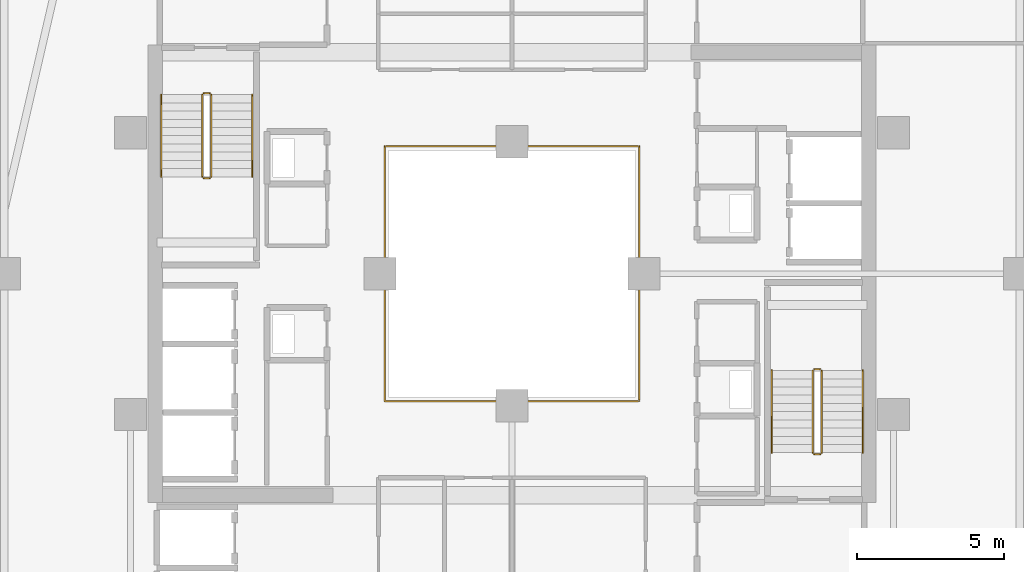
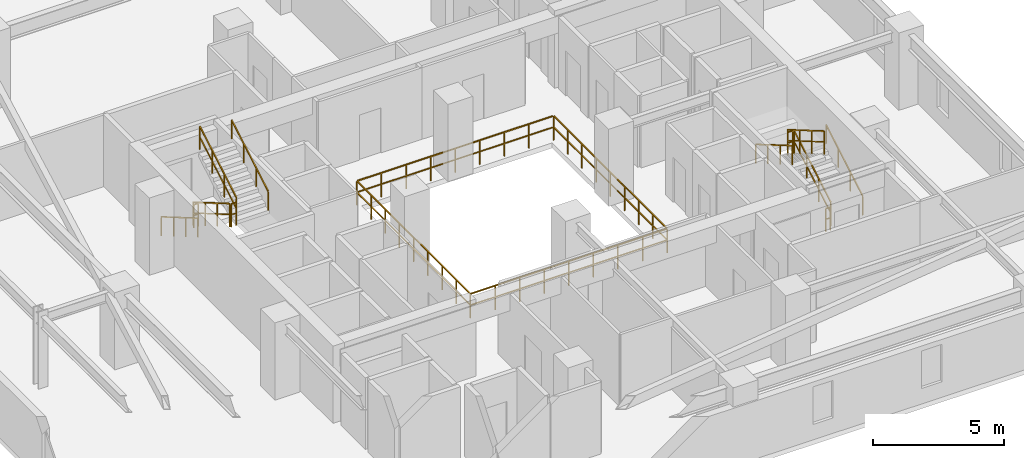
# One storey, part 32 of 33: 13 railings.
"""IFC4 building model written with IfcOpenShell, lengths in metres."""

from ifc_helpers import new_model, si_unit, direction, frame, origin, origin_2d, place, context, subcontext, project, spatial, rectangle, extrude, material, type_object, element, save


model = new_model("IFC4")

# Units and contexts
model_context = context("Model", 3, precision=1e-05, world=origin(), true_north=direction((0.0, 1.0)))
body_context = subcontext(model_context, "Body", "Model", "MODEL_VIEW")
ifc_project = project(units=[si_unit("LENGTHUNIT", "METRE"), si_unit("AREAUNIT", "SQUARE_METRE"), si_unit("VOLUMEUNIT", "CUBIC_METRE"), si_unit("PLANEANGLEUNIT", "RADIAN"), si_unit("MASSUNIT", "GRAM", prefix="KILO")], contexts=[model_context])

# Site, building, storey
site_placement = place(None, origin())
site = spatial("IfcSite", under=ifc_project, at=site_placement, CompositionType="ELEMENT")
building_placement = place(site_placement, origin())
building = spatial("IfcBuilding", under=site, at=building_placement, Name="Thornwick Lancets Civic Towers", CompositionType="ELEMENT")
storey_placement = place(building_placement, frame((0.0, 0.0, 192.89990234375)))
storey = spatial("IfcBuildingStorey", under=building, at=storey_placement, Name="L51", CompositionType="ELEMENT", Elevation=192.89990234375)

# Railings
ifc_material_1 = material(Name="Laminated glass and bronze steel S355", Category="steel")
railing_type_1 = type_object("IfcRailingType", Name="RAIL_ATRIUM_GUARD", PredefinedType="BALUSTRADE", material=ifc_material_1)
railing_1_placement = place(storey_placement, frame((84.159912109375, 22.659912109375, 0.0)))
element("IfcRailing", 1, at=railing_1_placement, inside=storey, type_object=railing_type_1, Name="L51 Tower B Central Atrium Guard Balustrade", PredefinedType="BALUSTRADE", context=body_context, shape_type="SweptSolid", body=[
    extrude(rectangle(XDim=0.048095703125, YDim=0.048095703125, at=origin_2d()), frame((0.0, 0.0, 1.1259765625), z_axis=(1.0, 0.0, 0.0), x_axis=(0.0, 1.0, 0.0)), (0.0, 0.0, 1.0), 8.64892578125),
    extrude(rectangle(XDim=0.0419921875, YDim=0.0419921875, at=origin_2d()), frame((0.03759765625, 0.0, 0.597900390625), z_axis=(1.0, 0.0, 0.0), x_axis=(0.0, 1.0, 0.0)), (0.0, 0.0, 1.0), 1.010009765625),
    extrude(rectangle(XDim=0.0419921875, YDim=0.0419921875, at=origin_2d()), frame((1.12255859375, 0.0, 0.597900390625), z_axis=(1.0, 0.0, 0.0), x_axis=(0.0, 1.0, 0.0)), (0.0, 0.0, 1.0), 1.010009765625),
    extrude(rectangle(XDim=0.0419921875, YDim=0.0419921875, at=origin_2d()), frame((2.20751953125, 0.0, 0.597900390625), z_axis=(1.0, 0.0, 0.0), x_axis=(0.0, 1.0, 0.0)), (0.0, 0.0, 1.0), 1.010009765625),
    extrude(rectangle(XDim=0.0419921875, YDim=0.0419921875, at=origin_2d()), frame((3.29248046875, 0.0, 0.597900390625), z_axis=(1.0, 0.0, 0.0), x_axis=(0.0, 1.0, 0.0)), (0.0, 0.0, 1.0), 1.010009765625),
    extrude(rectangle(XDim=0.0419921875, YDim=0.0419921875, at=origin_2d()), frame((4.377685546875, 0.0, 0.597900390625), z_axis=(1.0, 0.0, 0.0), x_axis=(0.0, 1.0, 0.0)), (0.0, 0.0, 1.0), 1.010009765625),
    extrude(rectangle(XDim=0.0419921875, YDim=0.0419921875, at=origin_2d()), frame((5.462646484375, 0.0, 0.597900390625), z_axis=(1.0, 0.0, 0.0), x_axis=(0.0, 1.0, 0.0)), (0.0, 0.0, 1.0), 1.010009765625),
    extrude(rectangle(XDim=0.0419921875, YDim=0.0419921875, at=origin_2d()), frame((6.547607421875, 0.0, 0.597900390625), z_axis=(1.0, 0.0, 0.0), x_axis=(0.0, 1.0, 0.0)), (0.0, 0.0, 1.0), 1.010009765625),
    extrude(rectangle(XDim=0.0419921875, YDim=0.0419921875, at=origin_2d()), frame((7.632568359375, 0.0, 0.597900390625), z_axis=(1.0, 0.0, 0.0), x_axis=(0.0, 1.0, 0.0)), (0.0, 0.0, 1.0), 1.010009765625),
    extrude(rectangle(XDim=0.048095703125, YDim=0.048095703125, at=origin_2d()), frame((8.68017578125, 0.03125, 1.1259765625), z_axis=(0.0, 1.0, 0.0), x_axis=(-1.0, 0.0, 0.0)), (0.0, 0.0, 1.0), 8.61767578125),
    extrude(rectangle(XDim=0.0419921875, YDim=0.0419921875, at=origin_2d()), frame((8.68017578125, 0.03759765625, 0.597900390625), z_axis=(0.0, 1.0, 0.0), x_axis=(-1.0, 0.0, 0.0)), (0.0, 0.0, 1.0), 1.010009765625),
    extrude(rectangle(XDim=0.0419921875, YDim=0.0419921875, at=origin_2d()), frame((8.68017578125, 1.12255859375, 0.597900390625), z_axis=(0.0, 1.0, 0.0), x_axis=(-1.0, 0.0, 0.0)), (0.0, 0.0, 1.0), 1.010009765625),
    extrude(rectangle(XDim=0.0419921875, YDim=0.0419921875, at=origin_2d()), frame((8.68017578125, 2.20751953125, 0.597900390625), z_axis=(0.0, 1.0, 0.0), x_axis=(-1.0, 0.0, 0.0)), (0.0, 0.0, 1.0), 1.010009765625),
    extrude(rectangle(XDim=0.0419921875, YDim=0.0419921875, at=origin_2d()), frame((8.68017578125, 3.29248046875, 0.597900390625), z_axis=(0.0, 1.0, 0.0), x_axis=(-1.0, 0.0, 0.0)), (0.0, 0.0, 1.0), 1.010009765625),
    extrude(rectangle(XDim=0.0419921875, YDim=0.0419921875, at=origin_2d()), frame((8.68017578125, 4.377685546875, 0.597900390625), z_axis=(0.0, 1.0, 0.0), x_axis=(-1.0, 0.0, 0.0)), (0.0, 0.0, 1.0), 1.010009765625),
    extrude(rectangle(XDim=0.0419921875, YDim=0.0419921875, at=origin_2d()), frame((8.68017578125, 5.462646484375, 0.597900390625), z_axis=(0.0, 1.0, 0.0), x_axis=(-1.0, 0.0, 0.0)), (0.0, 0.0, 1.0), 1.010009765625),
    extrude(rectangle(XDim=0.0419921875, YDim=0.0419921875, at=origin_2d()), frame((8.68017578125, 6.547607421875, 0.597900390625), z_axis=(0.0, 1.0, 0.0), x_axis=(-1.0, 0.0, 0.0)), (0.0, 0.0, 1.0), 1.010009765625),
    extrude(rectangle(XDim=0.0419921875, YDim=0.0419921875, at=origin_2d()), frame((8.68017578125, 7.632568359375, 0.597900390625), z_axis=(0.0, 1.0, 0.0), x_axis=(-1.0, 0.0, 0.0)), (0.0, 0.0, 1.0), 1.010009765625),
    extrude(rectangle(XDim=0.048095703125, YDim=0.048095703125, at=origin_2d()), frame((8.64892578125, 8.68017578125, 1.1259765625), z_axis=(-1.0, 0.0, 0.0), x_axis=(0.0, -1.0, 0.0)), (0.0, 0.0, 1.0), 8.61767578125),
    extrude(rectangle(XDim=0.0419921875, YDim=0.0419921875, at=origin_2d()), frame((8.642578125, 8.68017578125, 0.597900390625), z_axis=(-1.0, 0.0, 0.0), x_axis=(0.0, -1.0, 0.0)), (0.0, 0.0, 1.0), 1.010009765625),
    extrude(rectangle(XDim=0.0419921875, YDim=0.0419921875, at=origin_2d()), frame((7.5576171875, 8.68017578125, 0.597900390625), z_axis=(-1.0, 0.0, 0.0), x_axis=(0.0, -1.0, 0.0)), (0.0, 0.0, 1.0), 1.010009765625),
    extrude(rectangle(XDim=0.0419921875, YDim=0.0419921875, at=origin_2d()), frame((6.47265625, 8.68017578125, 0.597900390625), z_axis=(-1.0, 0.0, 0.0), x_axis=(0.0, -1.0, 0.0)), (0.0, 0.0, 1.0), 1.010009765625),
    extrude(rectangle(XDim=0.0419921875, YDim=0.0419921875, at=origin_2d()), frame((5.3876953125, 8.68017578125, 0.597900390625), z_axis=(-1.0, 0.0, 0.0), x_axis=(0.0, -1.0, 0.0)), (0.0, 0.0, 1.0), 1.010009765625),
    extrude(rectangle(XDim=0.0419921875, YDim=0.0419921875, at=origin_2d()), frame((4.302490234375, 8.68017578125, 0.597900390625), z_axis=(-1.0, 0.0, 0.0), x_axis=(0.0, -1.0, 0.0)), (0.0, 0.0, 1.0), 1.010009765625),
    extrude(rectangle(XDim=0.0419921875, YDim=0.0419921875, at=origin_2d()), frame((3.217529296875, 8.68017578125, 0.597900390625), z_axis=(-1.0, 0.0, 0.0), x_axis=(0.0, -1.0, 0.0)), (0.0, 0.0, 1.0), 1.010009765625),
    extrude(rectangle(XDim=0.0419921875, YDim=0.0419921875, at=origin_2d()), frame((2.132568359375, 8.68017578125, 0.597900390625), z_axis=(-1.0, 0.0, 0.0), x_axis=(0.0, -1.0, 0.0)), (0.0, 0.0, 1.0), 1.010009765625),
    extrude(rectangle(XDim=0.0419921875, YDim=0.0419921875, at=origin_2d()), frame((1.047607421875, 8.68017578125, 0.597900390625), z_axis=(-1.0, 0.0, 0.0), x_axis=(0.0, -1.0, 0.0)), (0.0, 0.0, 1.0), 1.010009765625),
    extrude(rectangle(XDim=0.048095703125, YDim=0.048095703125, at=origin_2d()), frame((0.0, 8.64892578125, 1.1259765625), z_axis=(0.0, -1.0, 0.0), x_axis=(1.0, 0.0, 0.0)), (0.0, 0.0, 1.0), 8.64892578125),
    extrude(rectangle(XDim=0.0419921875, YDim=0.0419921875, at=origin_2d()), frame((0.0, 8.642578125, 0.597900390625), z_axis=(0.0, -1.0, 0.0), x_axis=(1.0, 0.0, 0.0)), (0.0, 0.0, 1.0), 1.010009765625),
    extrude(rectangle(XDim=0.0419921875, YDim=0.0419921875, at=origin_2d()), frame((0.0, 7.5576171875, 0.597900390625), z_axis=(0.0, -1.0, 0.0), x_axis=(1.0, 0.0, 0.0)), (0.0, 0.0, 1.0), 1.010009765625),
    extrude(rectangle(XDim=0.0419921875, YDim=0.0419921875, at=origin_2d()), frame((0.0, 6.47265625, 0.597900390625), z_axis=(0.0, -1.0, 0.0), x_axis=(1.0, 0.0, 0.0)), (0.0, 0.0, 1.0), 1.010009765625),
    extrude(rectangle(XDim=0.0419921875, YDim=0.0419921875, at=origin_2d()), frame((0.0, 5.3876953125, 0.597900390625), z_axis=(0.0, -1.0, 0.0), x_axis=(1.0, 0.0, 0.0)), (0.0, 0.0, 1.0), 1.010009765625),
    extrude(rectangle(XDim=0.0419921875, YDim=0.0419921875, at=origin_2d()), frame((0.0, 4.302490234375, 0.597900390625), z_axis=(0.0, -1.0, 0.0), x_axis=(1.0, 0.0, 0.0)), (0.0, 0.0, 1.0), 1.010009765625),
    extrude(rectangle(XDim=0.0419921875, YDim=0.0419921875, at=origin_2d()), frame((0.0, 3.217529296875, 0.597900390625), z_axis=(0.0, -1.0, 0.0), x_axis=(1.0, 0.0, 0.0)), (0.0, 0.0, 1.0), 1.010009765625),
    extrude(rectangle(XDim=0.0419921875, YDim=0.0419921875, at=origin_2d()), frame((0.0, 2.132568359375, 0.597900390625), z_axis=(0.0, -1.0, 0.0), x_axis=(1.0, 0.0, 0.0)), (0.0, 0.0, 1.0), 1.010009765625),
    extrude(rectangle(XDim=0.0419921875, YDim=0.0419921875, at=origin_2d()), frame((0.0, 1.047607421875, 0.597900390625), z_axis=(0.0, -1.0, 0.0), x_axis=(1.0, 0.0, 0.0)), (0.0, 0.0, 1.0), 1.010009765625),
    extrude(rectangle(XDim=0.0419921875, YDim=0.0419921875, at=origin_2d()), origin(), (0.0, 0.0, 1.0), 1.095703125),
    extrude(rectangle(XDim=0.0419921875, YDim=0.0419921875, at=origin_2d()), frame((1.0849609375, 0.0, 0.0)), (0.0, 0.0, 1.0), 1.095703125),
    extrude(rectangle(XDim=0.0419921875, YDim=0.0419921875, at=origin_2d()), frame((2.169921875, 0.0, 0.0)), (0.0, 0.0, 1.0), 1.095703125),
    extrude(rectangle(XDim=0.0419921875, YDim=0.0419921875, at=origin_2d()), frame((3.255126953125, 0.0, 0.0)), (0.0, 0.0, 1.0), 1.095703125),
    extrude(rectangle(XDim=0.0419921875, YDim=0.0419921875, at=origin_2d()), frame((4.340087890625, 0.0, 0.0)), (0.0, 0.0, 1.0), 1.095703125),
    extrude(rectangle(XDim=0.0419921875, YDim=0.0419921875, at=origin_2d()), frame((5.425048828125, 0.0, 0.0)), (0.0, 0.0, 1.0), 1.095703125),
    extrude(rectangle(XDim=0.0419921875, YDim=0.0419921875, at=origin_2d()), frame((6.51025390625, 0.0, 0.0)), (0.0, 0.0, 1.0), 1.095703125),
    extrude(rectangle(XDim=0.0419921875, YDim=0.0419921875, at=origin_2d()), frame((7.59521484375, 0.0, 0.0)), (0.0, 0.0, 1.0), 1.095703125),
    extrude(rectangle(XDim=0.0419921875, YDim=0.0419921875, at=origin_2d()), frame((8.68017578125, 0.0, 0.0)), (0.0, 0.0, 1.0), 1.095703125),
    extrude(rectangle(XDim=0.0419921875, YDim=0.0419921875, at=origin_2d()), frame((8.68017578125, 1.0849609375, 0.0)), (0.0, 0.0, 1.0), 1.095703125),
    extrude(rectangle(XDim=0.0419921875, YDim=0.0419921875, at=origin_2d()), frame((8.68017578125, 2.169921875, 0.0)), (0.0, 0.0, 1.0), 1.095703125),
    extrude(rectangle(XDim=0.0419921875, YDim=0.0419921875, at=origin_2d()), frame((8.68017578125, 3.255126953125, 0.0)), (0.0, 0.0, 1.0), 1.095703125),
    extrude(rectangle(XDim=0.0419921875, YDim=0.0419921875, at=origin_2d()), frame((8.68017578125, 4.340087890625, 0.0)), (0.0, 0.0, 1.0), 1.095703125),
    extrude(rectangle(XDim=0.0419921875, YDim=0.0419921875, at=origin_2d()), frame((8.68017578125, 5.425048828125, 0.0)), (0.0, 0.0, 1.0), 1.095703125),
    extrude(rectangle(XDim=0.0419921875, YDim=0.0419921875, at=origin_2d()), frame((8.68017578125, 6.51025390625, 0.0)), (0.0, 0.0, 1.0), 1.095703125),
    extrude(rectangle(XDim=0.0419921875, YDim=0.0419921875, at=origin_2d()), frame((8.68017578125, 7.59521484375, 0.0)), (0.0, 0.0, 1.0), 1.095703125),
    extrude(rectangle(XDim=0.0419921875, YDim=0.0419921875, at=origin_2d()), frame((8.68017578125, 8.68017578125, 0.0)), (0.0, 0.0, 1.0), 1.095703125),
    extrude(rectangle(XDim=0.0419921875, YDim=0.0419921875, at=origin_2d()), frame((7.59521484375, 8.68017578125, 0.0)), (0.0, 0.0, 1.0), 1.095703125),
    extrude(rectangle(XDim=0.0419921875, YDim=0.0419921875, at=origin_2d()), frame((6.51025390625, 8.68017578125, 0.0)), (0.0, 0.0, 1.0), 1.095703125),
    extrude(rectangle(XDim=0.0419921875, YDim=0.0419921875, at=origin_2d()), frame((5.425048828125, 8.68017578125, 0.0)), (0.0, 0.0, 1.0), 1.095703125),
    extrude(rectangle(XDim=0.0419921875, YDim=0.0419921875, at=origin_2d()), frame((4.340087890625, 8.68017578125, 0.0)), (0.0, 0.0, 1.0), 1.095703125),
    extrude(rectangle(XDim=0.0419921875, YDim=0.0419921875, at=origin_2d()), frame((3.255126953125, 8.68017578125, 0.0)), (0.0, 0.0, 1.0), 1.095703125),
    extrude(rectangle(XDim=0.0419921875, YDim=0.0419921875, at=origin_2d()), frame((2.169921875, 8.68017578125, 0.0)), (0.0, 0.0, 1.0), 1.095703125),
    extrude(rectangle(XDim=0.0419921875, YDim=0.0419921875, at=origin_2d()), frame((1.0849609375, 8.68017578125, 0.0)), (0.0, 0.0, 1.0), 1.095703125),
    extrude(rectangle(XDim=0.0419921875, YDim=0.0419921875, at=origin_2d()), frame((0.0, 8.68017578125, 0.0)), (0.0, 0.0, 1.0), 1.095703125),
    extrude(rectangle(XDim=0.0419921875, YDim=0.0419921875, at=origin_2d()), frame((0.0, 7.59521484375, 0.0)), (0.0, 0.0, 1.0), 1.095703125),
    extrude(rectangle(XDim=0.0419921875, YDim=0.0419921875, at=origin_2d()), frame((0.0, 6.51025390625, 0.0)), (0.0, 0.0, 1.0), 1.095703125),
    extrude(rectangle(XDim=0.0419921875, YDim=0.0419921875, at=origin_2d()), frame((0.0, 5.425048828125, 0.0)), (0.0, 0.0, 1.0), 1.095703125),
    extrude(rectangle(XDim=0.0419921875, YDim=0.0419921875, at=origin_2d()), frame((0.0, 4.340087890625, 0.0)), (0.0, 0.0, 1.0), 1.095703125),
    extrude(rectangle(XDim=0.0419921875, YDim=0.0419921875, at=origin_2d()), frame((0.0, 3.255126953125, 0.0)), (0.0, 0.0, 1.0), 1.095703125),
    extrude(rectangle(XDim=0.0419921875, YDim=0.0419921875, at=origin_2d()), frame((0.0, 2.169921875, 0.0)), (0.0, 0.0, 1.0), 1.095703125),
    extrude(rectangle(XDim=0.0419921875, YDim=0.0419921875, at=origin_2d()), frame((0.0, 1.0849609375, 0.0)), (0.0, 0.0, 1.0), 1.095703125),
])
ifc_material_2 = material(Name="Brushed stainless steel S355", Category="steel")
railing_type_2 = type_object("IfcRailingType", Name="RAIL_HANDRAIL", PredefinedType="HANDRAIL", material=ifc_material_2)
railing_2_placement = place(storey_placement, frame((100.449951171875, 20.89990234375, 0.163818359375)))
element("IfcRailing", 2, at=railing_2_placement, inside=storey, type_object=railing_type_2, Name="L51 ST-B1 stair handrail 1", PredefinedType="HANDRAIL", context=body_context, shape_type="SweptSolid", body=[
    extrude(rectangle(XDim=0.048095703125, YDim=0.048095703125, at=origin_2d()), frame((0.0, 0.0, 0.8857421875), z_axis=(0.0, 0.863393664356, 0.504530851732), x_axis=(-1.0, 0.0, 0.0)), (0.0, 0.0, 1.0), 3.2431640625),
    extrude(rectangle(XDim=0.0419921875, YDim=0.0419921875, at=origin_2d()), origin(), (0.0, 0.0, 1.0), 0.855712890625),
    extrude(rectangle(XDim=0.0419921875, YDim=0.0419921875, at=origin_2d()), frame((0.0, 0.933349609375, 0.54541015625)), (0.0, 0.0, 1.0), 0.855712890625),
    extrude(rectangle(XDim=0.0419921875, YDim=0.0419921875, at=origin_2d()), frame((0.0, 1.86669921875, 1.0908203125)), (0.0, 0.0, 1.0), 0.855712890625),
    extrude(rectangle(XDim=0.0419921875, YDim=0.0419921875, at=origin_2d()), frame((0.0, 2.800048828125, 1.63623046875)), (0.0, 0.0, 1.0), 0.855712890625),
])
railing_3_placement = place(storey_placement, frame((97.35009765625, 23.699951171875, 1.963623046875)))
element("IfcRailing", 3, at=railing_3_placement, inside=storey, type_object=railing_type_2, Name="L51 ST-B1 stair handrail 2", PredefinedType="HANDRAIL", context=body_context, shape_type="SweptSolid", body=[
    extrude(rectangle(XDim=0.048095703125, YDim=0.048095703125, at=origin_2d()), frame((0.0, 0.0, 0.8857421875), z_axis=(0.0, -0.863360870873, 0.504586966384), x_axis=(1.0, 0.0, 0.0)), (0.0, 0.0, 1.0), 3.2431640625),
    extrude(rectangle(XDim=0.0419921875, YDim=0.0419921875, at=origin_2d()), origin(), (0.0, 0.0, 1.0), 0.855712890625),
    extrude(rectangle(XDim=0.0419921875, YDim=0.0419921875, at=origin_2d()), frame((0.0, -0.933349609375, 0.54541015625)), (0.0, 0.0, 1.0), 0.855712890625),
    extrude(rectangle(XDim=0.0419921875, YDim=0.0419921875, at=origin_2d()), frame((0.0, -1.86669921875, 1.091064453125)), (0.0, 0.0, 1.0), 0.855712890625),
    extrude(rectangle(XDim=0.0419921875, YDim=0.0419921875, at=origin_2d()), frame((0.0, -2.800048828125, 1.636474609375)), (0.0, 0.0, 1.0), 0.855712890625),
])
railing_4_placement = place(storey_placement, frame((76.550048828125, 33.10009765625, 0.163818359375)))
element("IfcRailing", 4, at=railing_4_placement, inside=storey, type_object=railing_type_2, Name="L51 ST-B2 stair handrail 1", PredefinedType="HANDRAIL", context=body_context, shape_type="SweptSolid", body=[
    extrude(rectangle(XDim=0.048095703125, YDim=0.048095703125, at=origin_2d()), frame((0.0, 0.0, 0.8857421875), z_axis=(0.0, -0.863393664356, 0.504530851732), x_axis=(1.0, 0.0, 0.0)), (0.0, 0.0, 1.0), 3.2431640625),
    extrude(rectangle(XDim=0.0419921875, YDim=0.0419921875, at=origin_2d()), origin(), (0.0, 0.0, 1.0), 0.855712890625),
    extrude(rectangle(XDim=0.0419921875, YDim=0.0419921875, at=origin_2d()), frame((0.0, -0.933349609375, 0.54541015625)), (0.0, 0.0, 1.0), 0.855712890625),
    extrude(rectangle(XDim=0.0419921875, YDim=0.0419921875, at=origin_2d()), frame((0.0, -1.86669921875, 1.0908203125)), (0.0, 0.0, 1.0), 0.855712890625),
    extrude(rectangle(XDim=0.0419921875, YDim=0.0419921875, at=origin_2d()), frame((0.0, -2.800048828125, 1.63623046875)), (0.0, 0.0, 1.0), 0.855712890625),
])
railing_5_placement = place(storey_placement, frame((79.64990234375, 30.300048828125, 1.963623046875)))
element("IfcRailing", 5, at=railing_5_placement, inside=storey, type_object=railing_type_2, Name="L51 ST-B2 stair handrail 2", PredefinedType="HANDRAIL", context=body_context, shape_type="SweptSolid", body=[
    extrude(rectangle(XDim=0.048095703125, YDim=0.048095703125, at=origin_2d()), frame((0.0, 0.0, 0.8857421875), z_axis=(0.0, 0.863360870873, 0.504586966384), x_axis=(-1.0, 0.0, 0.0)), (0.0, 0.0, 1.0), 3.2431640625),
    extrude(rectangle(XDim=0.0419921875, YDim=0.0419921875, at=origin_2d()), origin(), (0.0, 0.0, 1.0), 0.855712890625),
    extrude(rectangle(XDim=0.0419921875, YDim=0.0419921875, at=origin_2d()), frame((0.0, 0.933349609375, 0.54541015625)), (0.0, 0.0, 1.0), 0.855712890625),
    extrude(rectangle(XDim=0.0419921875, YDim=0.0419921875, at=origin_2d()), frame((0.0, 1.86669921875, 1.091064453125)), (0.0, 0.0, 1.0), 0.855712890625),
    extrude(rectangle(XDim=0.0419921875, YDim=0.0419921875, at=origin_2d()), frame((0.0, 2.800048828125, 1.636474609375)), (0.0, 0.0, 1.0), 0.855712890625),
])
ifc_material_3 = material(Name="Steel S355JR", Category="steel")
railing_type_3 = type_object("IfcRailingType", Name="RAIL_STAIR_GUARD", PredefinedType="GUARDRAIL", material=ifc_material_3)
railing_6_placement = place(storey_placement, frame((99.050048828125, 20.89990234375, 0.163818359375)))
element("IfcRailing", 6, at=railing_6_placement, inside=storey, type_object=railing_type_3, Name="L51 ST-B1 stair guard 1", PredefinedType="GUARDRAIL", context=body_context, shape_type="SweptSolid", body=[
    extrude(rectangle(XDim=0.048095703125, YDim=0.048095703125, at=origin_2d()), frame((0.0, 0.0, 1.076171875), z_axis=(0.0, 0.863393664356, 0.504530851732), x_axis=(-1.0, 0.0, 0.0)), (0.0, 0.0, 1.0), 3.2431640625),
    extrude(rectangle(XDim=0.0419921875, YDim=0.0419921875, at=origin_2d()), frame((0.0, 0.032470703125, 0.591064453125), z_axis=(0.0, 0.863393664356, 0.504530851732), x_axis=(-1.0, 0.0, 0.0)), (0.0, 0.0, 1.0), 1.006103515625),
    extrude(rectangle(XDim=0.0419921875, YDim=0.0419921875, at=origin_2d()), frame((0.0, 0.9658203125, 1.136474609375), z_axis=(0.0, 0.863393664356, 0.504530851732), x_axis=(-1.0, 0.0, 0.0)), (0.0, 0.0, 1.0), 1.006103515625),
    extrude(rectangle(XDim=0.0419921875, YDim=0.0419921875, at=origin_2d()), frame((0.0, 1.899169921875, 1.681884765625), z_axis=(0.0, 0.863393664356, 0.504530851732), x_axis=(-1.0, 0.0, 0.0)), (0.0, 0.0, 1.0), 1.006103515625),
    extrude(rectangle(XDim=0.0419921875, YDim=0.0419921875, at=origin_2d()), origin(), (0.0, 0.0, 1.0), 1.0458984375),
    extrude(rectangle(XDim=0.0419921875, YDim=0.0419921875, at=origin_2d()), frame((0.0, 0.933349609375, 0.54541015625)), (0.0, 0.0, 1.0), 1.0458984375),
    extrude(rectangle(XDim=0.0419921875, YDim=0.0419921875, at=origin_2d()), frame((0.0, 1.86669921875, 1.0908203125)), (0.0, 0.0, 1.0), 1.0458984375),
    extrude(rectangle(XDim=0.0419921875, YDim=0.0419921875, at=origin_2d()), frame((0.0, 2.800048828125, 1.63623046875)), (0.0, 0.0, 1.0), 1.0458984375),
])
railing_7_placement = place(storey_placement, frame((99.0, 23.75, 1.800048828125)))
element("IfcRailing", 7, at=railing_7_placement, inside=storey, type_object=railing_type_3, Name="L51 ST-B1 stair guard 2", PredefinedType="GUARDRAIL", context=body_context, shape_type="SweptSolid", body=[
    extrude(rectangle(XDim=0.048095703125, YDim=0.048095703125, at=origin_2d()), frame((0.0, 0.0, 1.076171875), z_axis=(-1.0, 0.0, 0.0), x_axis=(0.0, -1.0, 0.0)), (0.0, 0.0, 1.0), 0.199951171875),
    extrude(rectangle(XDim=0.0419921875, YDim=0.0419921875, at=origin_2d()), frame((-0.03759765625, 0.0, 0.572021484375), z_axis=(-1.0, 0.0, 0.0), x_axis=(0.0, -1.0, 0.0)), (0.0, 0.0, 1.0), 0.125),
    extrude(rectangle(XDim=0.0419921875, YDim=0.0419921875, at=origin_2d()), origin(), (0.0, 0.0, 1.0), 1.0458984375),
    extrude(rectangle(XDim=0.0419921875, YDim=0.0419921875, at=origin_2d()), frame((-0.199951171875, 0.0, 0.0)), (0.0, 0.0, 1.0), 1.0458984375),
])
railing_8_placement = place(storey_placement, frame((98.75, 23.699951171875, 1.963623046875)))
element("IfcRailing", 8, at=railing_8_placement, inside=storey, type_object=railing_type_3, Name="L51 ST-B1 stair guard 3", PredefinedType="GUARDRAIL", context=body_context, shape_type="SweptSolid", body=[
    extrude(rectangle(XDim=0.048095703125, YDim=0.048095703125, at=origin_2d()), frame((0.0, 0.0, 1.076171875), z_axis=(0.0, -0.863360870873, 0.504586966384), x_axis=(1.0, 0.0, 0.0)), (0.0, 0.0, 1.0), 3.2431640625),
    extrude(rectangle(XDim=0.0419921875, YDim=0.0419921875, at=origin_2d()), frame((0.0, -0.032470703125, 0.591064453125), z_axis=(0.0, -0.863360870873, 0.504586966384), x_axis=(1.0, 0.0, 0.0)), (0.0, 0.0, 1.0), 1.006103515625),
    extrude(rectangle(XDim=0.0419921875, YDim=0.0419921875, at=origin_2d()), frame((0.0, -0.9658203125, 1.136474609375), z_axis=(0.0, -0.863360870873, 0.504586966384), x_axis=(1.0, 0.0, 0.0)), (0.0, 0.0, 1.0), 1.006103515625),
    extrude(rectangle(XDim=0.0419921875, YDim=0.0419921875, at=origin_2d()), frame((0.0, -1.899169921875, 1.681884765625), z_axis=(0.0, -0.863360870873, 0.504586966384), x_axis=(1.0, 0.0, 0.0)), (0.0, 0.0, 1.0), 1.006103515625),
    extrude(rectangle(XDim=0.0419921875, YDim=0.0419921875, at=origin_2d()), origin(), (0.0, 0.0, 1.0), 1.0458984375),
    extrude(rectangle(XDim=0.0419921875, YDim=0.0419921875, at=origin_2d()), frame((0.0, -0.933349609375, 0.54541015625)), (0.0, 0.0, 1.0), 1.0458984375),
    extrude(rectangle(XDim=0.0419921875, YDim=0.0419921875, at=origin_2d()), frame((0.0, -1.86669921875, 1.091064453125)), (0.0, 0.0, 1.0), 1.0458984375),
    extrude(rectangle(XDim=0.0419921875, YDim=0.0419921875, at=origin_2d()), frame((0.0, -2.800048828125, 1.636474609375)), (0.0, 0.0, 1.0), 1.0458984375),
])
railing_9_placement = place(storey_placement, frame((99.0, 20.85009765625, 0.0)))
element("IfcRailing", 9, at=railing_9_placement, inside=storey, type_object=railing_type_3, Name="L51 ST-B1 stair guard 4", PredefinedType="GUARDRAIL", context=body_context, shape_type="SweptSolid", body=[
    extrude(rectangle(XDim=0.048095703125, YDim=0.048095703125, at=origin_2d()), frame((0.0, 0.0, 1.076171875), z_axis=(-1.0, 0.0, 0.0), x_axis=(0.0, -1.0, 0.0)), (0.0, 0.0, 1.0), 0.199951171875),
    extrude(rectangle(XDim=0.0419921875, YDim=0.0419921875, at=origin_2d()), frame((-0.03759765625, 0.0, 0.572021484375), z_axis=(-1.0, 0.0, 0.0), x_axis=(0.0, -1.0, 0.0)), (0.0, 0.0, 1.0), 0.125),
    extrude(rectangle(XDim=0.0419921875, YDim=0.0419921875, at=origin_2d()), origin(), (0.0, 0.0, 1.0), 1.0458984375),
    extrude(rectangle(XDim=0.0419921875, YDim=0.0419921875, at=origin_2d()), frame((-0.199951171875, 0.0, 0.0)), (0.0, 0.0, 1.0), 1.0458984375),
])
railing_10_placement = place(storey_placement, frame((77.949951171875, 33.10009765625, 0.163818359375)))
element("IfcRailing", 10, at=railing_10_placement, inside=storey, type_object=railing_type_3, Name="L51 ST-B2 stair guard 1", PredefinedType="GUARDRAIL", context=body_context, shape_type="SweptSolid", body=[
    extrude(rectangle(XDim=0.048095703125, YDim=0.048095703125, at=origin_2d()), frame((0.0, 0.0, 1.076171875), z_axis=(0.0, -0.863393664356, 0.504530851732), x_axis=(1.0, 0.0, 0.0)), (0.0, 0.0, 1.0), 3.2431640625),
    extrude(rectangle(XDim=0.0419921875, YDim=0.0419921875, at=origin_2d()), frame((0.0, -0.032470703125, 0.591064453125), z_axis=(0.0, -0.863393664356, 0.504530851732), x_axis=(1.0, 0.0, 0.0)), (0.0, 0.0, 1.0), 1.006103515625),
    extrude(rectangle(XDim=0.0419921875, YDim=0.0419921875, at=origin_2d()), frame((0.0, -0.9658203125, 1.136474609375), z_axis=(0.0, -0.863393664356, 0.504530851732), x_axis=(1.0, 0.0, 0.0)), (0.0, 0.0, 1.0), 1.006103515625),
    extrude(rectangle(XDim=0.0419921875, YDim=0.0419921875, at=origin_2d()), frame((0.0, -1.899169921875, 1.681884765625), z_axis=(0.0, -0.863393664356, 0.504530851732), x_axis=(1.0, 0.0, 0.0)), (0.0, 0.0, 1.0), 1.006103515625),
    extrude(rectangle(XDim=0.0419921875, YDim=0.0419921875, at=origin_2d()), origin(), (0.0, 0.0, 1.0), 1.0458984375),
    extrude(rectangle(XDim=0.0419921875, YDim=0.0419921875, at=origin_2d()), frame((0.0, -0.933349609375, 0.54541015625)), (0.0, 0.0, 1.0), 1.0458984375),
    extrude(rectangle(XDim=0.0419921875, YDim=0.0419921875, at=origin_2d()), frame((0.0, -1.86669921875, 1.0908203125)), (0.0, 0.0, 1.0), 1.0458984375),
    extrude(rectangle(XDim=0.0419921875, YDim=0.0419921875, at=origin_2d()), frame((0.0, -2.800048828125, 1.63623046875)), (0.0, 0.0, 1.0), 1.0458984375),
])
railing_11_placement = place(storey_placement, frame((78.0, 30.25, 1.800048828125)))
element("IfcRailing", 11, at=railing_11_placement, inside=storey, type_object=railing_type_3, Name="L51 ST-B2 stair guard 2", PredefinedType="GUARDRAIL", context=body_context, shape_type="SweptSolid", body=[
    extrude(rectangle(XDim=0.048095703125, YDim=0.048095703125, at=origin_2d()), frame((0.0, 0.0, 1.076171875), z_axis=(1.0, 0.0, 0.0), x_axis=(0.0, 1.0, 0.0)), (0.0, 0.0, 1.0), 0.199951171875),
    extrude(rectangle(XDim=0.0419921875, YDim=0.0419921875, at=origin_2d()), frame((0.03759765625, 0.0, 0.572021484375), z_axis=(1.0, 0.0, 0.0), x_axis=(0.0, 1.0, 0.0)), (0.0, 0.0, 1.0), 0.125),
    extrude(rectangle(XDim=0.0419921875, YDim=0.0419921875, at=origin_2d()), origin(), (0.0, 0.0, 1.0), 1.0458984375),
    extrude(rectangle(XDim=0.0419921875, YDim=0.0419921875, at=origin_2d()), frame((0.199951171875, 0.0, 0.0)), (0.0, 0.0, 1.0), 1.0458984375),
])
railing_12_placement = place(storey_placement, frame((78.25, 30.300048828125, 1.963623046875)))
element("IfcRailing", 12, at=railing_12_placement, inside=storey, type_object=railing_type_3, Name="L51 ST-B2 stair guard 3", PredefinedType="GUARDRAIL", context=body_context, shape_type="SweptSolid", body=[
    extrude(rectangle(XDim=0.048095703125, YDim=0.048095703125, at=origin_2d()), frame((0.0, 0.0, 1.076171875), z_axis=(0.0, 0.863360870873, 0.504586966384), x_axis=(-1.0, 0.0, 0.0)), (0.0, 0.0, 1.0), 3.2431640625),
    extrude(rectangle(XDim=0.0419921875, YDim=0.0419921875, at=origin_2d()), frame((0.0, 0.032470703125, 0.591064453125), z_axis=(0.0, 0.863360870873, 0.504586966384), x_axis=(-1.0, 0.0, 0.0)), (0.0, 0.0, 1.0), 1.006103515625),
    extrude(rectangle(XDim=0.0419921875, YDim=0.0419921875, at=origin_2d()), frame((0.0, 0.9658203125, 1.136474609375), z_axis=(0.0, 0.863360870873, 0.504586966384), x_axis=(-1.0, 0.0, 0.0)), (0.0, 0.0, 1.0), 1.006103515625),
    extrude(rectangle(XDim=0.0419921875, YDim=0.0419921875, at=origin_2d()), frame((0.0, 1.899169921875, 1.681884765625), z_axis=(0.0, 0.863360870873, 0.504586966384), x_axis=(-1.0, 0.0, 0.0)), (0.0, 0.0, 1.0), 1.006103515625),
    extrude(rectangle(XDim=0.0419921875, YDim=0.0419921875, at=origin_2d()), origin(), (0.0, 0.0, 1.0), 1.0458984375),
    extrude(rectangle(XDim=0.0419921875, YDim=0.0419921875, at=origin_2d()), frame((0.0, 0.933349609375, 0.54541015625)), (0.0, 0.0, 1.0), 1.0458984375),
    extrude(rectangle(XDim=0.0419921875, YDim=0.0419921875, at=origin_2d()), frame((0.0, 1.86669921875, 1.091064453125)), (0.0, 0.0, 1.0), 1.0458984375),
    extrude(rectangle(XDim=0.0419921875, YDim=0.0419921875, at=origin_2d()), frame((0.0, 2.800048828125, 1.636474609375)), (0.0, 0.0, 1.0), 1.0458984375),
])
railing_13_placement = place(storey_placement, frame((78.0, 33.14990234375, 0.0)))
element("IfcRailing", 13, at=railing_13_placement, inside=storey, type_object=railing_type_3, Name="L51 ST-B2 stair guard 4", PredefinedType="GUARDRAIL", context=body_context, shape_type="SweptSolid", body=[
    extrude(rectangle(XDim=0.048095703125, YDim=0.048095703125, at=origin_2d()), frame((0.0, 0.0, 1.076171875), z_axis=(1.0, 0.0, 0.0), x_axis=(0.0, 1.0, 0.0)), (0.0, 0.0, 1.0), 0.199951171875),
    extrude(rectangle(XDim=0.0419921875, YDim=0.0419921875, at=origin_2d()), frame((0.03759765625, 0.0, 0.572021484375), z_axis=(1.0, 0.0, 0.0), x_axis=(0.0, 1.0, 0.0)), (0.0, 0.0, 1.0), 0.125),
    extrude(rectangle(XDim=0.0419921875, YDim=0.0419921875, at=origin_2d()), origin(), (0.0, 0.0, 1.0), 1.0458984375),
    extrude(rectangle(XDim=0.0419921875, YDim=0.0419921875, at=origin_2d()), frame((0.199951171875, 0.0, 0.0)), (0.0, 0.0, 1.0), 1.0458984375),
])

save(model, "model.ifc")
